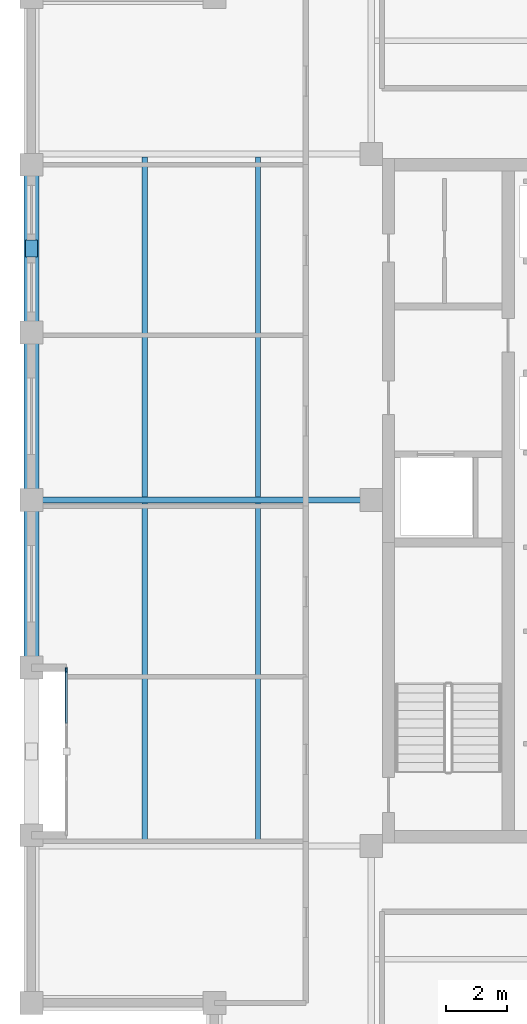
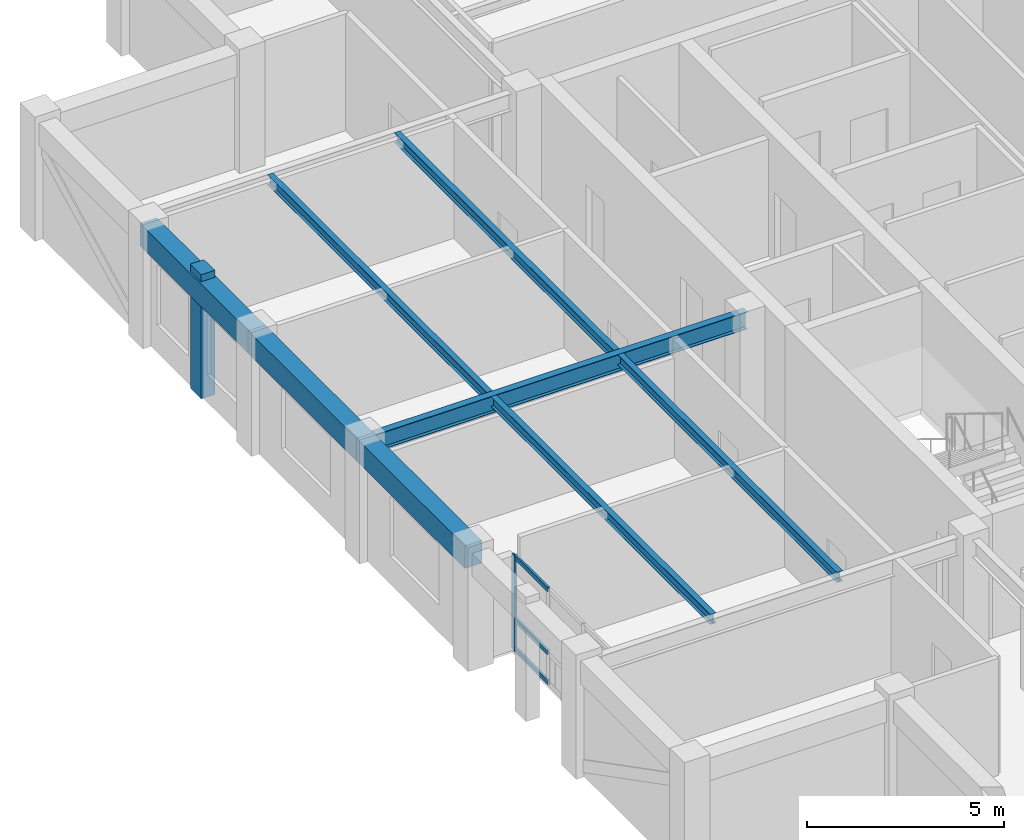
# One storey, part 4 of 10: 8 beams, 5 members, 1 element without a shape of its own.
"""IFC4 building model written with IfcOpenShell, lengths in metres."""

from ifc_helpers import new_model, si_unit, direction, frame, origin, origin_2d, place, context, subcontext, project, spatial, rectangle, i_section, extrude, material, layer, layer_set, material_profile, profile_set, type_object, element, aggregate, save


model = new_model("IFC4")

# Units and contexts
model_context = context("Model", 3, precision=1e-05, world=origin(), true_north=direction((0.0, 1.0)))
body_context = subcontext(model_context, "Body", "Model", "MODEL_VIEW")
ifc_project = project(units=[si_unit("LENGTHUNIT", "METRE"), si_unit("AREAUNIT", "SQUARE_METRE"), si_unit("VOLUMEUNIT", "CUBIC_METRE"), si_unit("PLANEANGLEUNIT", "RADIAN"), si_unit("MASSUNIT", "GRAM", prefix="KILO")], contexts=[model_context])

# Site, building, storey
site_placement = place(None, origin())
site = spatial("IfcSite", under=ifc_project, at=site_placement, CompositionType="ELEMENT")
building_placement = place(site_placement, origin())
building = spatial("IfcBuilding", under=site, at=building_placement, Name="Nhamokura Convention Tower", CompositionType="ELEMENT")
storey_placement = place(building_placement, frame((0.0, 0.0, 304.5)))
storey = spatial("IfcBuildingStorey", under=building, at=storey_placement, Name="L75", CompositionType="ELEMENT", Elevation=304.5)

# Member
ifc_material_1 = material(Name="Bronze-pigmented precast concrete C45/55", Category="concrete")
ifc_material_profile_1 = material_profile(ifc_material_1, rectangle(XDim=0.39990234375, YDim=0.550048828125, at=origin_2d()))
ifc_profile_set_1 = profile_set([ifc_material_profile_1], Name="Bronze-pigmented precast concrete C45/55")
member_type_1 = type_object("IfcMemberType", Name="BronzePilaster_550", PredefinedType="USERDEFINED", material=ifc_profile_set_1)
member_1_placement = place(storey_placement, frame((9.5, 40.25, 0.0), z_axis=(0.0, 0.0, 1.0), x_axis=(1.0, 0.0, 0.0)))
element("IfcMember", 1, at=member_1_placement, inside=storey, type_object=member_type_1, Name="L75 Engaged Frame Pilaster WEST 4", ObjectType="PILASTER_TRIM", PredefinedType="USERDEFINED", context=body_context, shape_type="SweptSolid", body=[
    extrude(rectangle(XDim=0.39990234375, YDim=0.550048828125, at=origin_2d()), origin(), (0.0, 0.0, 1.0), 3.85009765625),
])

# Curtain wall, members
ifc_material_2 = material(Name="Anodised bronze aluminium AA6063-T6", Category="aluminium")
ifc_layer = layer(ifc_material_2, 0.155029296875)
ifc_layer_set = layer_set([ifc_layer], Name="CWSystem_ScaleSlot_Zone3")
curtain_wall_type = type_object("IfcCurtainWallType", Name="CWSystem_ScaleSlot_Zone3", PredefinedType="NOTDEFINED", material=ifc_layer_set)
curtain_wall_placement = place(storey_placement, origin())
curtain_wall = element("IfcCurtainWall", 2, at=curtain_wall_placement, inside=storey, type_object=curtain_wall_type, Name="L75 Curtain Wall ENV-L75-SLOT-W1", PredefinedType="NOTDEFINED")
ifc_material_3 = material(Name="Anodised bronze aluminium AA6063-T6", Category="aluminium")
ifc_material_profile_2 = material_profile(ifc_material_3, rectangle(XDim=0.06494140625, YDim=0.1650390625, at=origin_2d()))
ifc_profile_set_2 = profile_set([ifc_material_profile_2], Name="Anodised bronze aluminium AA6063-T6")
member_type_2 = type_object("IfcMemberType", Name="CWMullion_3", PredefinedType="MULLION", material=ifc_profile_set_2)
member_2_placement = place(storey_placement, frame((10.64990234375, 26.407470703125, 0.0), z_axis=(0.0, 0.0, 1.0), x_axis=(-1.0, 0.0, 0.0)))
member_2 = element("IfcMember", 3, at=member_2_placement, type_object=member_type_2, Name="CW-05 mullion 4", PredefinedType="MULLION", context=body_context, shape_type="SweptSolid", body=[
    extrude(rectangle(XDim=0.06494140625, YDim=0.1650390625, at=origin_2d()), origin(), (0.0, 0.0, 1.0), 2.929931640625),
])
ifc_material_4 = material(Name="Anodised bronze aluminium AA6063-T6", Category="aluminium")
ifc_material_profile_3 = material_profile(ifc_material_4, rectangle(XDim=0.06494140625, YDim=0.139892578125, at=origin_2d()))
ifc_profile_set_3 = profile_set([ifc_material_profile_3], Name="Anodised bronze aluminium AA6063-T6")
member_type_3 = type_object("IfcMemberType", Name="CWTransom_3", PredefinedType="USERDEFINED", material=ifc_profile_set_3)
member_3_placement = place(storey_placement, frame((10.64990234375, 24.67919921875, 0.032470703125), z_axis=(0.0, 1.0, 0.0), x_axis=(-1.0, 0.0, 0.0)))
member_3 = element("IfcMember", 4, at=member_3_placement, type_object=member_type_3, Name="CW-05 transom 3.1", ObjectType="TRANSOM", PredefinedType="USERDEFINED", context=body_context, shape_type="SweptSolid", body=[
    extrude(rectangle(XDim=0.06494140625, YDim=0.139892578125, at=origin_2d()), origin(), (0.0, 0.0, 1.0), 1.69580078125),
])
member_4_placement = place(storey_placement, frame((10.64990234375, 24.67919921875, 0.949951171875), z_axis=(0.0, 1.0, 0.0), x_axis=(-1.0, 0.0, 0.0)))
member_4 = element("IfcMember", 5, at=member_4_placement, type_object=member_type_3, Name="CW-05 transom 3.2", ObjectType="TRANSOM", PredefinedType="USERDEFINED", context=body_context, shape_type="SweptSolid", body=[
    extrude(rectangle(XDim=0.06494140625, YDim=0.139892578125, at=origin_2d()), origin(), (0.0, 0.0, 1.0), 1.69580078125),
])
member_5_placement = place(storey_placement, frame((10.64990234375, 24.67919921875, 2.8974609375), z_axis=(0.0, 1.0, 0.0), x_axis=(-1.0, 0.0, 0.0)))
member_5 = element("IfcMember", 6, at=member_5_placement, type_object=member_type_3, Name="CW-05 transom 3.3", ObjectType="TRANSOM", PredefinedType="USERDEFINED", context=body_context, shape_type="SweptSolid", body=[
    extrude(rectangle(XDim=0.06494140625, YDim=0.139892578125, at=origin_2d()), origin(), (0.0, 0.0, 1.0), 1.69580078125),
])
aggregate(curtain_wall, [member_2, member_3, member_4, member_5])

# Beams
ifc_material_5 = material(Name="Steel ASTM A992 Gr 50", Category="steel")
ifc_material_profile_4 = material_profile(ifc_material_5, i_section(OverallWidth=0.166015625, OverallDepth=0.31298828125, WebThickness=0.006591796875, FlangeThickness=0.01123046875, at=origin_2d()))
ifc_profile_set_4 = profile_set([ifc_material_profile_4], Name="Steel ASTM A992 Gr 50")
beam_type_1 = type_object("IfcBeamType", Name="FloorJoist_W310X45", PredefinedType="JOIST", material=ifc_profile_set_4)
for number, where, z_axis, x_axis, name in (
    (7, (13.216796875, 20.75244140625, 3.473388671875), (0.0, 1.0, 0.0), (-1.0, 0.0, 0.0), "L75 Composite Floor Joist W1A"),
    (8, (13.216796875, 32.1025390625, 3.473388671875), (0.0, 1.0, 0.0), (-1.0, 0.0, 0.0), "L75 Composite Floor Joist W1B"),
    (9, (16.933349609375, 20.75244140625, 3.473388671875), (0.0, 1.0, 0.0), (-1.0, 0.0, 0.0), "L75 Composite Floor Joist W2A"),
    (10, (16.933349609375, 32.1025390625, 3.473388671875), (0.0, 1.0, 0.0), (-1.0, 0.0, 0.0), "L75 Composite Floor Joist W2B"),
):
    element("IfcBeam", number, at=place(storey_placement, frame(where, z_axis=z_axis, x_axis=x_axis)), inside=storey, type_object=beam_type_1, Name=name, PredefinedType="JOIST", context=body_context, shape_type="SweptSolid", body=[
        extrude(i_section(OverallWidth=0.166015625, OverallDepth=0.31298828125, WebThickness=0.006591796875, FlangeThickness=0.01123046875, at=origin_2d()), origin(), (0.0, 0.0, 1.0), 11.14501953125),
    ])
ifc_material_6 = material(Name="Steel ASTM A992 Gr 50", Category="steel")
ifc_material_profile_5 = material_profile(ifc_material_6, i_section(OverallWidth=0.208984375, OverallDepth=0.532958984375, WebThickness=0.01025390625, FlangeThickness=0.015625, at=origin_2d()))
ifc_profile_set_5 = profile_set([ifc_material_profile_5], Name="Steel ASTM A992 Gr 50")
beam_type_2 = type_object("IfcBeamType", Name="PrimaryGirder_W530X92", PredefinedType="BEAM", material=ifc_profile_set_5)
beam_placement = place(storey_placement, frame((9.5, 32.0, 3.363525390625), z_axis=(1.0, 0.0, 0.0), x_axis=(0.0, 1.0, 0.0)))
element("IfcBeam", 11, at=beam_placement, inside=storey, type_object=beam_type_2, Name="L75 Primary Floor Girder PG-W2", PredefinedType="BEAM", context=body_context, shape_type="SweptSolid", body=[
    extrude(i_section(OverallWidth=0.208984375, OverallDepth=0.532958984375, WebThickness=0.01025390625, FlangeThickness=0.015625, at=origin_2d()), origin(), (0.0, 0.0, 1.0), 11.14990234375),
])
ifc_material_7 = material(Name="Concrete C50/60", Category="concrete")
ifc_material_profile_6 = material_profile(ifc_material_7, rectangle(XDim=0.5, YDim=0.699951171875, at=origin_2d()))
ifc_profile_set_6 = profile_set([ifc_material_profile_6], Name="Concrete C50/60")
beam_type_3 = type_object("IfcBeamType", Name="TubeSpandrel_700", PredefinedType="SPANDREL", material=ifc_profile_set_6)
for number, where, z_axis, x_axis, name in (
    (12, (9.5, 26.5, 3.280029296875), (0.0, 1.0, 0.0), (-1.0, 0.0, 0.0), "L75 Perimeter Spandrel WEST 3"),
    (13, (9.5, 32.0, 3.280029296875), (0.0, 1.0, 0.0), (-1.0, 0.0, 0.0), "L75 Perimeter Spandrel WEST 4"),
    (14, (9.5, 37.5, 3.280029296875), (0.0, 1.0, 0.0), (-1.0, 0.0, 0.0), "L75 Perimeter Spandrel WEST 5"),
):
    element("IfcBeam", number, at=place(storey_placement, frame(where, z_axis=z_axis, x_axis=x_axis)), inside=storey, type_object=beam_type_3, Name=name, PredefinedType="SPANDREL", context=body_context, shape_type="SweptSolid", body=[
        extrude(rectangle(XDim=0.5, YDim=0.699951171875, at=origin_2d()), origin(), (0.0, 0.0, 1.0), 5.5),
    ])

save(model, "model.ifc")
